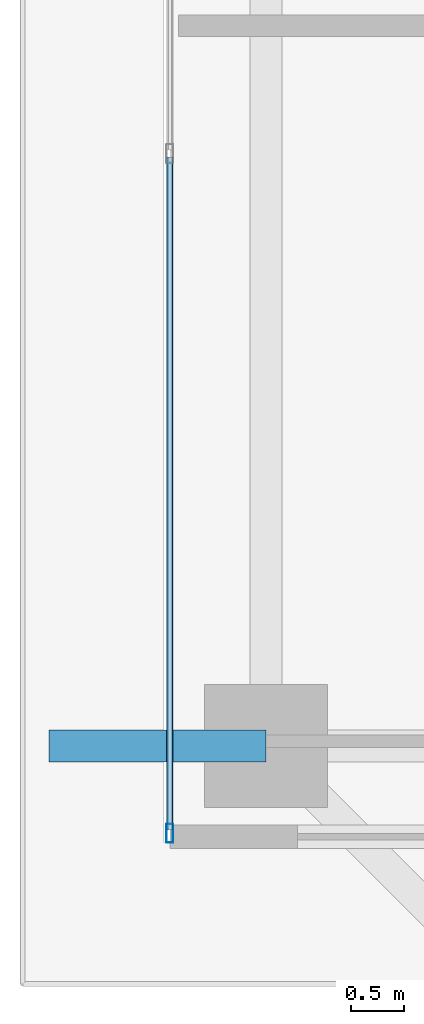
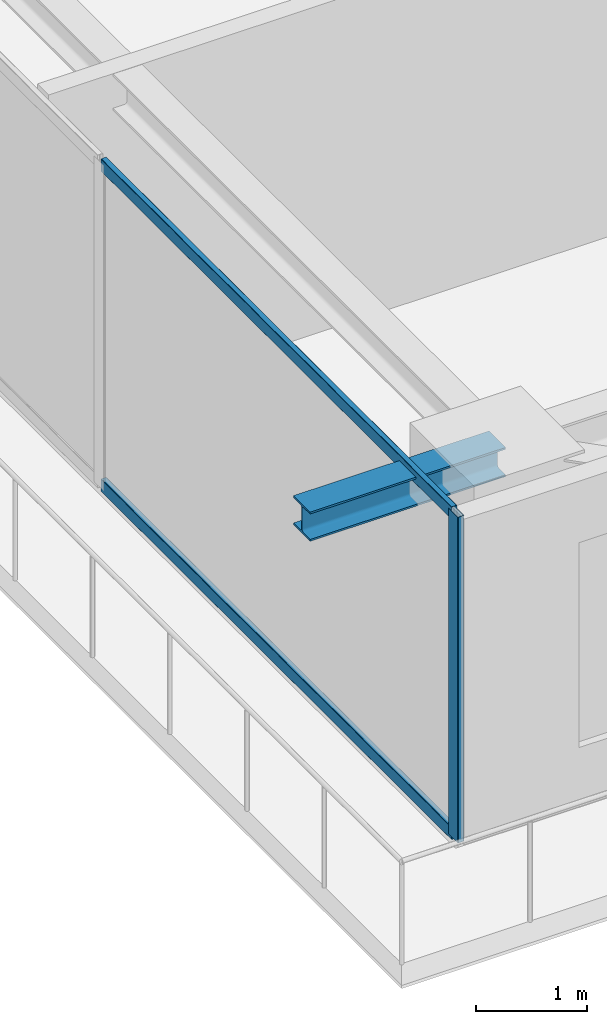
# One storey, part 3 of 38: 3 members, 1 beam, 1 element without a shape of its own.
"""IFC4 building model written with IfcOpenShell, lengths in metres."""

from ifc_helpers import new_model, si_unit, direction, frame, origin, origin_2d, place, context, subcontext, project, spatial, hollow_rectangle, i_section, extrude, source, transform, mapped, material, layer, layer_set, material_profile, profile_set, type_object, element, aggregate, save


model = new_model("IFC4")

# Units and contexts
model_context = context("Model", 3, precision=1e-05, world=origin(), true_north=direction((0.0, 1.0)))
body_context = subcontext(model_context, "Body", "Model", "MODEL_VIEW")
ifc_project = project(units=[si_unit("LENGTHUNIT", "METRE"), si_unit("AREAUNIT", "SQUARE_METRE"), si_unit("VOLUMEUNIT", "CUBIC_METRE"), si_unit("PLANEANGLEUNIT", "RADIAN"), si_unit("MASSUNIT", "GRAM", prefix="KILO")], contexts=[model_context])

# Site, building, storey
site_placement = place(None, origin())
site = spatial("IfcSite", under=ifc_project, at=site_placement, CompositionType="ELEMENT")
building_placement = place(site_placement, origin())
building = spatial("IfcBuilding", under=site, at=building_placement, Name="Serunith Strait Residences", CompositionType="ELEMENT")
storey_placement = place(building_placement, frame((0.0, 0.0, 229.699951171875)))
storey = spatial("IfcBuildingStorey", under=building, at=storey_placement, Name="L57", CompositionType="ELEMENT", Elevation=229.699951171875)

# Beam
ifc_material_1 = material(Name="Steel S355J2", Category="steel")
ifc_material_profile_1 = material_profile(ifc_material_1, i_section(OverallWidth=0.300048828125, OverallDepth=0.320068359375, WebThickness=0.011474609375, FlangeThickness=0.0205078125, FilletRadius=0.027099609375, at=origin_2d()), Name="HEB 320")
ifc_profile_set_1 = profile_set([ifc_material_profile_1], Name="Steel S355J2")
beam_type = type_object("IfcBeamType", Name="BM-HEB320", PredefinedType="BEAM", material=ifc_profile_set_1)
shared_shape_1 = source(origin(), body_context, "Body", "SweptSolid", [
    extrude(i_section(OverallWidth=0.300048828125, OverallDepth=0.320068359375, WebThickness=0.011474609375, FlangeThickness=0.0205078125, FilletRadius=0.027099609375, at=origin_2d()), origin(), (0.0, 0.0, 1.0), 2.030029296875),
])
beam_placement = place(storey_placement, frame((8.300048828125, 10.050048828125, 3.39697265625), z_axis=(-1.0, 0.0, 0.0), x_axis=(0.0, -1.0, 0.0)))
element("IfcBeam", 1, at=beam_placement, inside=storey, type_object=beam_type, Name="L58 Cantilevered Balcony Rib TC-W1", PredefinedType="BEAM", context=body_context, shape_type="MappedRepresentation", body=[
    mapped(shared_shape_1, transform((0.0, 0.0, 0.0), scale=1.0)),
])

# Curtain wall, members
ifc_material_2 = material(Name="Pale-Champagne Anodised Aluminium", Category="aluminium")
ifc_layer = layer(ifc_material_2, 0.199951171875, Name="Pale-Champagne Anodised Aluminium")
ifc_layer_set = layer_set([ifc_layer], Name="Pale-Champagne Anodised Aluminium")
curtain_wall_type = type_object("IfcCurtainWallType", Name="CW-SYS4", PredefinedType="NOTDEFINED", material=ifc_layer_set)
curtain_wall_placement = place(storey_placement, origin())
curtain_wall = element("IfcCurtainWall", 2, at=curtain_wall_placement, inside=storey, type_object=curtain_wall_type, Name="L57 W Unitised Fritted Curtain Wall", PredefinedType="NOTDEFINED")
ifc_material_profile_2 = material_profile(ifc_material_2, hollow_rectangle(XDim=0.06494140625, YDim=0.179931640625, WallThickness=0.00341796875, InnerFilletRadius=0.00537109375, OuterFilletRadius=0.0087890625, at=origin_2d()), Name="ALU 180x65x3.5")
ifc_profile_set_2 = profile_set([ifc_material_profile_2], Name="Pale-Champagne Anodised Aluminium")
member_type_1 = type_object("IfcMemberType", Name="CW-SYS4-MULL", PredefinedType="MULLION", material=ifc_profile_set_2)
shared_shape_2 = source(origin(), body_context, "Body", "SweptSolid", [
    extrude(hollow_rectangle(XDim=0.06494140625, YDim=0.179931640625, WallThickness=0.00341796875, InnerFilletRadius=0.00537109375, OuterFilletRadius=0.0087890625, at=origin_2d()), origin(), (0.0, 0.0, 1.0), 3.574951171875),
])
member_1_placement = place(storey_placement, frame((7.39990234375, 9.232421875, 0.0), z_axis=(0.0, 0.0, 1.0), x_axis=(1.0, 0.0, 0.0)))
member_1 = element("IfcMember", 3, at=member_1_placement, type_object=member_type_1, Name="CW-4 mullion 6", PredefinedType="MULLION", context=body_context, shape_type="MappedRepresentation", body=[
    mapped(shared_shape_2, transform((0.0, 0.0, 0.0), scale=1.0)),
])
ifc_material_profile_3 = material_profile(ifc_material_2, hollow_rectangle(XDim=0.06005859375, YDim=0.139892578125, WallThickness=0.00341796875, InnerFilletRadius=0.00537109375, OuterFilletRadius=0.0087890625, at=origin_2d()), Name="ALU 140x60x3.5")
ifc_profile_set_3 = profile_set([ifc_material_profile_3], Name="Pale-Champagne Anodised Aluminium")
member_type_2 = type_object("IfcMemberType", Name="CW-SYS4-TRAN", PredefinedType="USERDEFINED", material=ifc_profile_set_3)
shared_shape_3 = source(origin(), body_context, "Body", "SweptSolid", [
    extrude(hollow_rectangle(XDim=0.06005859375, YDim=0.139892578125, WallThickness=0.00341796875, InnerFilletRadius=0.00537109375, OuterFilletRadius=0.0087890625, at=origin_2d()), origin(), (0.0, 0.0, 1.0), 6.302490234375),
])
member_2_placement = place(storey_placement, frame((7.39990234375, 15.5673828125, 0.030029296875), z_axis=(0.0, -1.0, 0.0), x_axis=(1.0, 0.0, 0.0)))
member_2 = element("IfcMember", 4, at=member_2_placement, type_object=member_type_2, Name="CW-4 transom 5.1", ObjectType="TRANSOM", PredefinedType="USERDEFINED", context=body_context, shape_type="MappedRepresentation", body=[
    mapped(shared_shape_3, transform((0.0, 0.0, 0.0), scale=1.0)),
])
member_3_placement = place(storey_placement, frame((7.39990234375, 15.5673828125, 3.545166015625), z_axis=(0.0, -1.0, 0.0), x_axis=(1.0, 0.0, 0.0)))
member_3 = element("IfcMember", 5, at=member_3_placement, type_object=member_type_2, Name="CW-4 transom 5.2", ObjectType="TRANSOM", PredefinedType="USERDEFINED", context=body_context, shape_type="MappedRepresentation", body=[
    mapped(shared_shape_3, transform((0.0, 0.0, 0.0), scale=1.0)),
])
aggregate(curtain_wall, [member_1, member_2, member_3])

save(model, "model.ifc")
